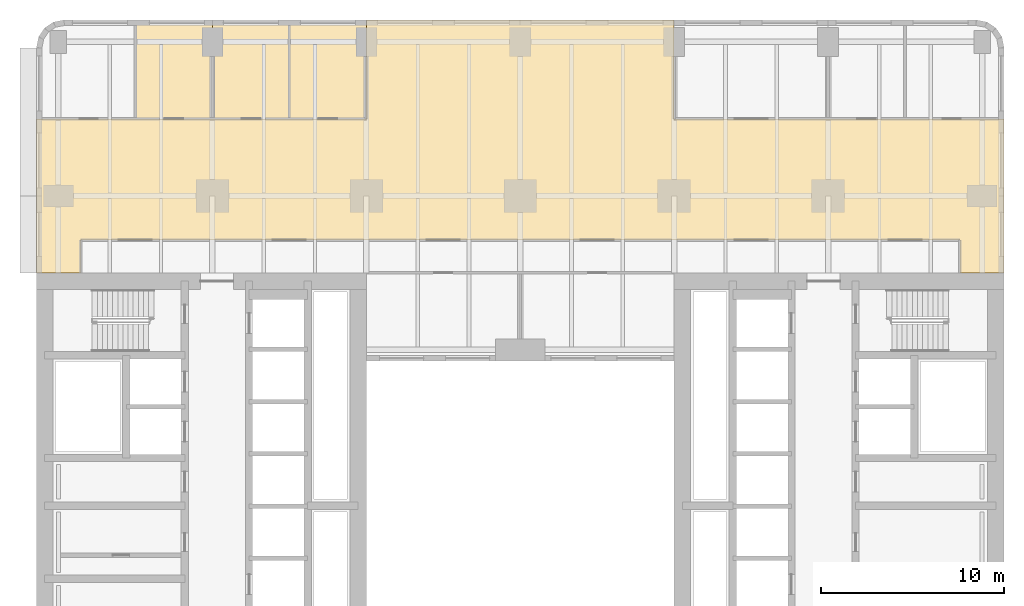
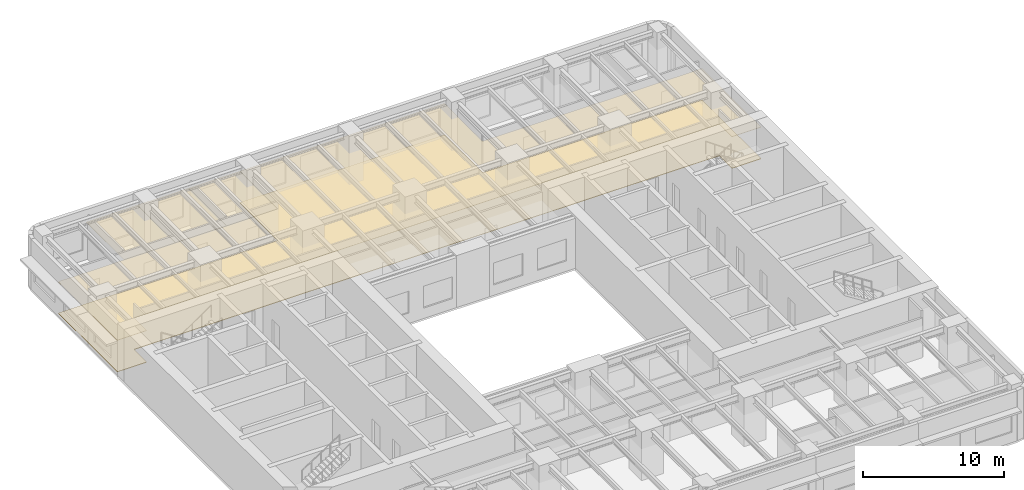
# One storey, part 13 of 14: 5 coverings.
"""IFC4 building model written with IfcOpenShell, lengths in metres."""

from ifc_helpers import new_model, si_unit, direction, frame, origin, place, context, subcontext, project, spatial, polyline, outline, extrude, material, layer, layer_set, type_object, element, save


model = new_model("IFC4")

# Units and contexts
model_context = context("Model", 3, precision=1e-05, world=origin(), true_north=direction((0.0, 1.0)))
body_context = subcontext(model_context, "Body", "Model", "MODEL_VIEW")
ifc_project = project(units=[si_unit("LENGTHUNIT", "METRE"), si_unit("AREAUNIT", "SQUARE_METRE"), si_unit("VOLUMEUNIT", "CUBIC_METRE"), si_unit("PLANEANGLEUNIT", "RADIAN"), si_unit("MASSUNIT", "GRAM", prefix="KILO")], contexts=[model_context])

# Site, building, storey
site_placement = place(None, origin())
site = spatial("IfcSite", under=ifc_project, at=site_placement, CompositionType="ELEMENT")
building_placement = place(site_placement, origin())
building = spatial("IfcBuilding", under=site, at=building_placement, Name="Claustro Exchange Tower", CompositionType="ELEMENT")
storey_placement = place(building_placement, frame((0.0, 0.0, 23.39990234375)))
storey = spatial("IfcBuildingStorey", under=building, at=storey_placement, Name="L05", CompositionType="ELEMENT", Elevation=23.39990234375)

# Coverings
ifc_material_1 = material(Name="Gypsum board ceiling", Category="gypsum board")
ifc_layer_1 = layer(ifc_material_1, 0.02490234375)
ifc_layer_set_1 = layer_set([ifc_layer_1], Name="Gypsum board ceiling")
covering_type_1 = type_object("IfcCoveringType", Name="CL2 plasterboard ceiling", PredefinedType="CEILING", material=ifc_layer_set_1)
covering_1_placement = place(storey_placement, frame((0.0, 0.0, 3.0)))
element("IfcCovering", 1, at=covering_1_placement, inside=storey, type_object=covering_type_1, Name="Ceiling CL2 L05-13", PredefinedType="CEILING", context=body_context, shape_type="SweptSolid", body=[
    extrude(outline(polyline([(-1.199951171875, 46.199951171875), (-1.199951171875, 37.800048828125), (1.199951171875, 37.800048828125), (1.199951171875, 39.60009765625), (49.199951171875, 39.60009765625), (49.199951171875, 37.800048828125), (51.60009765625, 37.800048828125), (51.60009765625, 46.199951171875), (46.199951171875, 46.199951171875), (42.0, 46.199951171875), (33.60009765625, 46.199951171875), (33.60009765625, 51.60009765625), (16.800048828125, 51.60009765625), (16.800048828125, 46.199951171875), (12.60009765625, 46.199951171875), (8.39990234375, 46.199951171875), (4.199951171875, 46.199951171875), (-1.199951171875, 46.199951171875)])), origin(), (0.0, 0.0, 1.0), 0.025146484375),
])
covering_2_placement = place(storey_placement, frame((0.0, 0.0, 3.0)))
element("IfcCovering", 2, at=covering_2_placement, inside=storey, type_object=covering_type_1, Name="Ceiling CL2 L05-15", PredefinedType="CEILING", context=body_context, shape_type="SweptSolid", body=[
    extrude(outline(polyline([(8.39990234375, 51.60009765625), (4.199951171875, 51.60009765625), (4.199951171875, 46.199951171875), (8.39990234375, 46.199951171875), (8.39990234375, 51.60009765625)])), origin(), (0.0, 0.0, 1.0), 0.025146484375),
])
covering_3_placement = place(storey_placement, frame((0.0, 0.0, 3.0)))
element("IfcCovering", 3, at=covering_3_placement, inside=storey, type_object=covering_type_1, Name="Ceiling CL2 L05-16", PredefinedType="CEILING", context=body_context, shape_type="SweptSolid", body=[
    extrude(outline(polyline([(12.60009765625, 51.60009765625), (8.39990234375, 51.60009765625), (8.39990234375, 46.199951171875), (12.60009765625, 46.199951171875), (12.60009765625, 51.60009765625)])), origin(), (0.0, 0.0, 1.0), 0.025146484375),
])
covering_4_placement = place(storey_placement, frame((0.0, 0.0, 3.0)))
element("IfcCovering", 4, at=covering_4_placement, inside=storey, type_object=covering_type_1, Name="Ceiling CL2 L05-17", PredefinedType="CEILING", context=body_context, shape_type="SweptSolid", body=[
    extrude(outline(polyline([(16.800048828125, 51.60009765625), (12.60009765625, 51.60009765625), (12.60009765625, 46.199951171875), (16.800048828125, 46.199951171875), (16.800048828125, 51.60009765625)])), origin(), (0.0, 0.0, 1.0), 0.025146484375),
])
ifc_material_2 = material(Name="Steel-encased raised floor panels on pedestals", Category="steel")
ifc_layer_2 = layer(ifc_material_2, 0.0400390625)
ifc_layer_set_2 = layer_set([ifc_layer_2], Name="Steel-encased raised floor panels on pedestals")
covering_type_2 = type_object("IfcCoveringType", Name="RF1 300 raised access floor", PredefinedType="FLOORING", material=ifc_layer_set_2)
covering_5_placement = place(storey_placement, frame((0.0, 0.0, 0.260009765625)))
element("IfcCovering", 5, at=covering_5_placement, inside=storey, type_object=covering_type_2, Name="Raised access floor RF1 L05-13", PredefinedType="FLOORING", context=body_context, shape_type="SweptSolid", body=[
    extrude(outline(polyline([(-1.199951171875, 46.199951171875), (-1.199951171875, 37.800048828125), (1.199951171875, 37.800048828125), (1.199951171875, 39.60009765625), (49.199951171875, 39.60009765625), (49.199951171875, 37.800048828125), (51.60009765625, 37.800048828125), (51.60009765625, 46.199951171875), (46.199951171875, 46.199951171875), (42.0, 46.199951171875), (33.60009765625, 46.199951171875), (33.60009765625, 51.60009765625), (16.800048828125, 51.60009765625), (16.800048828125, 46.199951171875), (12.60009765625, 46.199951171875), (8.39990234375, 46.199951171875), (4.199951171875, 46.199951171875), (-1.199951171875, 46.199951171875)])), origin(), (0.0, 0.0, 1.0), 0.0400390625),
])

save(model, "model.ifc")
